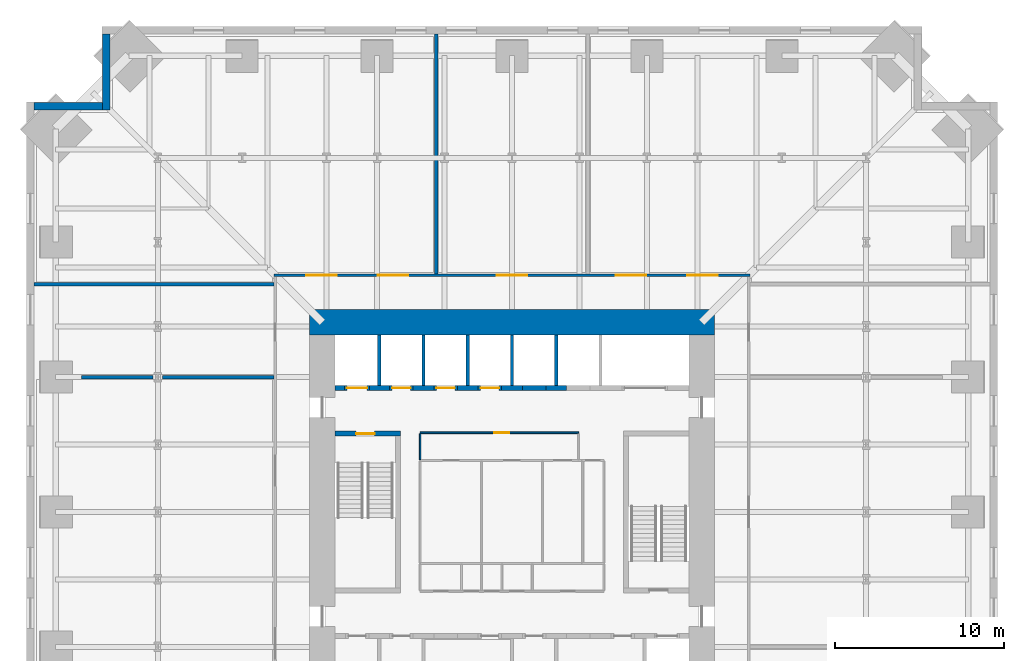
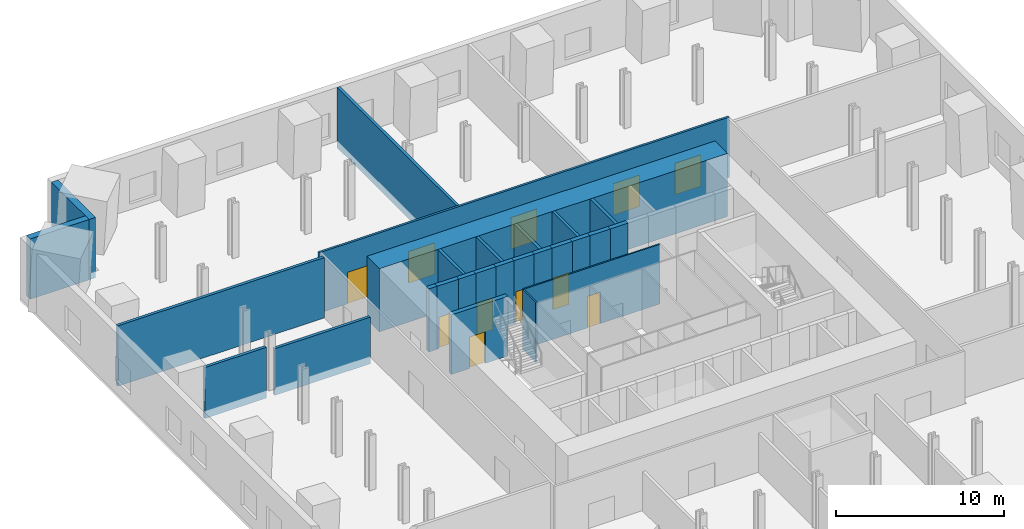
# One storey, part 6 of 8: 27 walls, 11 doors, 11 openings.
"""IFC4 building model written with IfcOpenShell, lengths in metres."""

from ifc_helpers import new_model, si_unit, direction, frame, frame_2d, origin, place, context, subcontext, project, spatial, rectangle, extrude, material, layer, layer_set, type_object, element, fill, save


model = new_model("IFC4")

# Units and contexts
model_context = context("Model", 3, precision=1e-05, world=origin(), true_north=direction((0.0, 1.0)))
body_context = subcontext(model_context, "Body", "Model", "MODEL_VIEW")
ifc_project = project(units=[si_unit("LENGTHUNIT", "METRE"), si_unit("AREAUNIT", "SQUARE_METRE"), si_unit("VOLUMEUNIT", "CUBIC_METRE"), si_unit("PLANEANGLEUNIT", "RADIAN"), si_unit("MASSUNIT", "GRAM", prefix="KILO")], contexts=[model_context])

# Site, building, storey
site_placement = place(None, origin())
site = spatial("IfcSite", under=ifc_project, at=site_placement, CompositionType="ELEMENT")
building_placement = place(site_placement, origin())
building = spatial("IfcBuilding", under=site, at=building_placement, Name="Peilmerk Tower", CompositionType="ELEMENT")
storey_placement = place(building_placement, frame((0.0, 0.0, 95.199951171875)))
storey = spatial("IfcBuildingStorey", under=building, at=storey_placement, Name="L18", CompositionType="ELEMENT", Elevation=95.199951171875)

# Walls
ifc_material_1 = material(Name="Precast concrete C45/55, board-marked finish", Category="concrete")
ifc_layer_1 = layer(ifc_material_1, 0.449951171875)
ifc_layer_set_1 = layer_set([ifc_layer_1], Name="Precast concrete C45/55, board-marked finish")
wall_type_1 = type_object("IfcWallType", Name="EW1 450 precast concrete facade wall, board-marked", PredefinedType="SOLIDWALL", material=ifc_layer_set_1)
wall_1_placement = place(storey_placement, frame((-24.074951171875, 23.85009765625, 0.0), z_axis=(0.0, 0.0, 1.0), x_axis=(0.0, 1.0, 0.0)))
element("IfcWall", 1, at=wall_1_placement, inside=storey, type_object=wall_type_1, Name="Facade wall NWA L18", PredefinedType="SOLIDWALL", context=body_context, shape_type="SweptSolid", body=[
    extrude(rectangle(XDim=4.5, YDim=0.449951171875, at=frame_2d((2.25, 0.0))), origin(), (0.0, 0.0, 1.0), 4.400146484375),
])
wall_2_placement = place(storey_placement, frame((-24.300048828125, 24.074951171875, 0.0), z_axis=(0.0, 0.0, 1.0), x_axis=(-1.0, 0.0, 0.0)))
element("IfcWall", 2, at=wall_2_placement, inside=storey, type_object=wall_type_1, Name="Facade wall NWB L18", PredefinedType="SOLIDWALL", context=body_context, shape_type="SweptSolid", body=[
    extrude(rectangle(XDim=4.050048828125, YDim=0.449951171875, at=frame_2d((2.02490234375, 0.0))), origin(), (0.0, 0.0, 1.0), 4.400146484375),
])

# Wall, openings, doors
ifc_material_2 = material(Name="Calcium silicate block", Category="masonry")
ifc_layer_2 = layer(ifc_material_2, 0.14990234375)
ifc_layer_set_2 = layer_set([ifc_layer_2], Name="Calcium silicate block")
wall_type_2 = type_object("IfcWallType", Name="IW1 150 corridor partition, EI 60", PredefinedType="PARTITIONING", material=ifc_layer_set_2)
wall_3_placement = place(storey_placement, frame((-14.125, 14.050048828125, 0.0), z_axis=(0.0, 0.0, 1.0), x_axis=(1.0, 0.0, 0.0)))
wall_3 = element("IfcWall", 3, at=wall_3_placement, inside=storey, type_object=wall_type_2, Name="Corridor wall N L18", PredefinedType="PARTITIONING", context=body_context, shape_type="SweptSolid", body=[
    extrude(rectangle(XDim=28.25, YDim=0.14990234375, at=frame_2d((14.125, 0.0))), origin(), (0.0, 0.0, 1.0), 4.400146484375),
])
opening_1_placement = place(wall_3_placement, frame((1.925048828125, 0.0, 0.0)))
opening_1 = element("IfcOpeningElement", 4, at=opening_1_placement, cuts=wall_3, Name="Opening D2", PredefinedType="OPENING", context=body_context, shape_type="SweptSolid", body=[
    extrude(rectangle(XDim=1.800048828125, YDim=2.300048828125, at=frame_2d((0.89990234375, 1.14990234375))), frame((0.0, 0.0849609375, 0.0), z_axis=(0.0, -1.0, 0.0), x_axis=(1.0, 0.0, 0.0)), (0.0, 0.0, 1.0), 0.169921875),
])
opening_2_placement = place(wall_3_placement, frame((6.175048828125, 0.0, 0.0)))
opening_2 = element("IfcOpeningElement", 5, at=opening_2_placement, cuts=wall_3, Name="Opening D2", PredefinedType="OPENING", context=body_context, shape_type="SweptSolid", body=[
    extrude(rectangle(XDim=1.800048828125, YDim=2.300048828125, at=frame_2d((0.89990234375, 1.14990234375))), frame((0.0, 0.0849609375, 0.0), z_axis=(0.0, -1.0, 0.0), x_axis=(1.0, 0.0, 0.0)), (0.0, 0.0, 1.0), 0.169921875),
])
opening_3_placement = place(wall_3_placement, frame((13.22509765625, 0.0, 0.0)))
opening_3 = element("IfcOpeningElement", 6, at=opening_3_placement, cuts=wall_3, Name="Opening D2", PredefinedType="OPENING", context=body_context, shape_type="SweptSolid", body=[
    extrude(rectangle(XDim=1.800048828125, YDim=2.300048828125, at=frame_2d((0.89990234375, 1.14990234375))), frame((0.0, 0.0849609375, 0.0), z_axis=(0.0, -1.0, 0.0), x_axis=(1.0, 0.0, 0.0)), (0.0, 0.0, 1.0), 0.169921875),
])
opening_4_placement = place(wall_3_placement, frame((20.27490234375, 0.0, 0.0)))
opening_4 = element("IfcOpeningElement", 7, at=opening_4_placement, cuts=wall_3, Name="Opening D2", PredefinedType="OPENING", context=body_context, shape_type="SweptSolid", body=[
    extrude(rectangle(XDim=1.800048828125, YDim=2.300048828125, at=frame_2d((0.89990234375, 1.14990234375))), frame((0.0, 0.0849609375, 0.0), z_axis=(0.0, -1.0, 0.0), x_axis=(1.0, 0.0, 0.0)), (0.0, 0.0, 1.0), 0.169921875),
])
opening_5_placement = place(wall_3_placement, frame((24.52490234375, 0.0, 0.0)))
opening_5 = element("IfcOpeningElement", 8, at=opening_5_placement, cuts=wall_3, Name="Opening D2", PredefinedType="OPENING", context=body_context, shape_type="SweptSolid", body=[
    extrude(rectangle(XDim=1.800048828125, YDim=2.300048828125, at=frame_2d((0.89990234375, 1.14990234375))), frame((0.0, 0.0849609375, 0.0), z_axis=(0.0, -1.0, 0.0), x_axis=(1.0, 0.0, 0.0)), (0.0, 0.0, 1.0), 0.169921875),
])
ifc_material_3 = material(Name="Steel door in steel frame", Category="steel")
door_type_1 = type_object("IfcDoorType", Name="D2 1800x2300 double door, EI2 60", OperationType="DOUBLE_DOOR_DOUBLE_SWING", PredefinedType="DOOR", material=ifc_material_3)
door_1_placement = place(opening_1_placement, origin())
door_1 = element("IfcDoor", 9, at=door_1_placement, inside=storey, type_object=door_type_1, Name="Door Telecom equipment room A L18", OperationType="DOUBLE_DOOR_DOUBLE_SWING", OverallHeight=2.300048828125, OverallWidth=1.800048828125, PredefinedType="DOOR", context=body_context, shape_type="SweptSolid", body=[
    extrude(rectangle(XDim=1.800048828125, YDim=2.300048828125, at=frame_2d((0.89990234375, 1.14990234375))), frame((0.0, 0.02490234375, 0.0), z_axis=(0.0, -1.0, 0.0), x_axis=(1.0, 0.0, 0.0)), (0.0, 0.0, 1.0), 0.050048828125),
])
fill(opening_1, door_1)
door_2_placement = place(opening_2_placement, origin())
door_2 = element("IfcDoor", 10, at=door_2_placement, inside=storey, type_object=door_type_1, Name="Door Telecom equipment room A L18", OperationType="DOUBLE_DOOR_DOUBLE_SWING", OverallHeight=2.300048828125, OverallWidth=1.800048828125, PredefinedType="DOOR", context=body_context, shape_type="SweptSolid", body=[
    extrude(rectangle(XDim=1.800048828125, YDim=2.300048828125, at=frame_2d((0.89990234375, 1.14990234375))), frame((0.0, 0.02490234375, 0.0), z_axis=(0.0, -1.0, 0.0), x_axis=(1.0, 0.0, 0.0)), (0.0, 0.0, 1.0), 0.050048828125),
])
fill(opening_2, door_2)
door_3_placement = place(opening_3_placement, origin())
door_3 = element("IfcDoor", 11, at=door_3_placement, inside=storey, type_object=door_type_1, Name="Door Telecom equipment room B L18", OperationType="DOUBLE_DOOR_DOUBLE_SWING", OverallHeight=2.300048828125, OverallWidth=1.800048828125, PredefinedType="DOOR", context=body_context, shape_type="SweptSolid", body=[
    extrude(rectangle(XDim=1.800048828125, YDim=2.300048828125, at=frame_2d((0.89990234375, 1.14990234375))), frame((0.0, 0.02490234375, 0.0), z_axis=(0.0, -1.0, 0.0), x_axis=(1.0, 0.0, 0.0)), (0.0, 0.0, 1.0), 0.050048828125),
])
fill(opening_3, door_3)
door_4_placement = place(opening_4_placement, origin())
door_4 = element("IfcDoor", 12, at=door_4_placement, inside=storey, type_object=door_type_1, Name="Door Telecom equipment room C L18", OperationType="DOUBLE_DOOR_DOUBLE_SWING", OverallHeight=2.300048828125, OverallWidth=1.800048828125, PredefinedType="DOOR", context=body_context, shape_type="SweptSolid", body=[
    extrude(rectangle(XDim=1.800048828125, YDim=2.300048828125, at=frame_2d((0.89990234375, 1.14990234375))), frame((0.0, 0.02490234375, 0.0), z_axis=(0.0, -1.0, 0.0), x_axis=(1.0, 0.0, 0.0)), (0.0, 0.0, 1.0), 0.050048828125),
])
fill(opening_4, door_4)
door_5_placement = place(opening_5_placement, origin())
door_5 = element("IfcDoor", 13, at=door_5_placement, inside=storey, type_object=door_type_1, Name="Door Telecom equipment room C L18", OperationType="DOUBLE_DOOR_DOUBLE_SWING", OverallHeight=2.300048828125, OverallWidth=1.800048828125, PredefinedType="DOOR", context=body_context, shape_type="SweptSolid", body=[
    extrude(rectangle(XDim=1.800048828125, YDim=2.300048828125, at=frame_2d((0.89990234375, 1.14990234375))), frame((0.0, 0.02490234375, 0.0), z_axis=(0.0, -1.0, 0.0), x_axis=(1.0, 0.0, 0.0)), (0.0, 0.0, 1.0), 0.050048828125),
])
fill(opening_5, door_5)

# Walls
ifc_layer_3 = layer(ifc_material_2, 0.199951171875)
ifc_layer_set_3 = layer_set([ifc_layer_3], Name="Calcium silicate block")
wall_type_3 = type_object("IfcWallType", Name="IW2 200 room separating wall, EI 120", PredefinedType="PARTITIONING", material=ifc_layer_set_3)
for number, where, z_axis, x_axis, name in (
    (14, (-28.35009765625, 13.5, 0.0), (0.0, 0.0, 1.0), (1.0, 0.0, 0.0), "Room separating wall NW L18"),
    (15, (-4.5, 14.125, 0.0), (0.0, 0.0, 1.0), (0.0, 1.0, 0.0), "Room separating wall N1 L18"),
):
    element("IfcWall", number, at=place(storey_placement, frame(where, z_axis=z_axis, x_axis=x_axis)), inside=storey, type_object=wall_type_3, Name=name, PredefinedType="PARTITIONING", context=body_context, shape_type="SweptSolid", body=[
        extrude(rectangle(XDim=14.22509765625, YDim=0.199951171875, at=frame_2d((7.112548828125, 0.0))), origin(), (0.0, 0.0, 1.0), 4.400146484375),
    ])
wall_4_placement = place(storey_placement, frame((-14.125, 8.0, 0.0), z_axis=(0.0, 0.0, 1.0), x_axis=(-1.0, 0.0, 0.0)))
element("IfcWall", 16, at=wall_4_placement, inside=storey, type_object=wall_type_3, Name="Room separating wall W1 L18", PredefinedType="PARTITIONING", context=body_context, shape_type="SweptSolid", body=[
    extrude(rectangle(XDim=6.590576171875, YDim=0.199951171875, at=frame_2d((3.29541015625, 0.0))), origin(), (0.0, 0.0, 1.0), 3.39208984375),
])
wall_5_placement = place(storey_placement, frame((-21.284423828125, 8.0, 0.0), z_axis=(0.0, 0.0, 1.0), x_axis=(-1.0, 0.0, 0.0)))
element("IfcWall", 17, at=wall_5_placement, inside=storey, type_object=wall_type_3, Name="Room separating wall W1b L18", PredefinedType="PARTITIONING", context=body_context, shape_type="SweptSolid", body=[
    extrude(rectangle(XDim=4.24462890625, YDim=0.199951171875, at=frame_2d((2.122314453125, 0.0))), origin(), (0.0, 0.0, 1.0), 3.7099609375),
])

# Wall, opening, door
ifc_material_4 = material(Name="Concrete C35/45", Category="concrete")
ifc_layer_4 = layer(ifc_material_4, 0.300048828125)
ifc_layer_set_4 = layer_set([ifc_layer_4], Name="Concrete C35/45")
wall_type_4 = type_object("IfcWallType", Name="IW3 300 concrete stair enclosure wall, EI 120", PredefinedType="SOLIDWALL", material=ifc_layer_set_4)
wall_6_placement = place(storey_placement, frame((-10.5, 4.64990234375, 0.0), z_axis=(0.0, 0.0, 1.0), x_axis=(1.0, 0.0, 0.0)))
wall_6 = element("IfcWall", 18, at=wall_6_placement, inside=storey, type_object=wall_type_4, Name="Stair 1 enclosure L18", PredefinedType="SOLIDWALL", context=body_context, shape_type="SweptSolid", body=[
    extrude(rectangle(XDim=3.89990234375, YDim=0.300048828125, at=frame_2d((1.949951171875, 0.0))), origin(), (0.0, 0.0, 1.0), 4.35009765625),
])
opening_6_placement = place(wall_6_placement, frame((1.25, 0.0, 0.0)))
opening_6 = element("IfcOpeningElement", 19, at=opening_6_placement, cuts=wall_6, Name="Opening D4", PredefinedType="OPENING", context=body_context, shape_type="SweptSolid", body=[
    extrude(rectangle(XDim=1.10009765625, YDim=2.300048828125, at=frame_2d((0.550048828125, 1.14990234375))), frame((0.0, 0.159912109375, 0.0), z_axis=(0.0, -1.0, 0.0), x_axis=(1.0, 0.0, 0.0)), (0.0, 0.0, 1.0), 0.320068359375),
])
door_type_2 = type_object("IfcDoorType", Name="D4 1100x2300 stair door, EI2 60", OperationType="SINGLE_SWING_RIGHT", PredefinedType="DOOR", material=ifc_material_3)
door_6_placement = place(opening_6_placement, frame((1.10009765625, 0.0, 0.0), z_axis=(0.0, 0.0, 1.0), x_axis=(-1.0, 0.0, 0.0)))
door_6 = element("IfcDoor", 20, at=door_6_placement, inside=storey, type_object=door_type_2, Name="Stair 1 door L18", OperationType="SINGLE_SWING_RIGHT", OverallHeight=2.300048828125, OverallWidth=1.10009765625, PredefinedType="DOOR", context=body_context, shape_type="SweptSolid", body=[
    extrude(rectangle(XDim=1.10009765625, YDim=2.300048828125, at=frame_2d((0.550048828125, 1.14990234375))), frame((0.0, 0.02490234375, 0.0), z_axis=(0.0, -1.0, 0.0), x_axis=(1.0, 0.0, 0.0)), (0.0, 0.0, 1.0), 0.050048828125),
])
fill(opening_6, door_6)

ifc_material_5 = material(Name="Fire-resisting plasterboard on steel studs", Category="steel")
ifc_layer_5 = layer(ifc_material_5, 0.10009765625)
ifc_layer_set_5 = layer_set([ifc_layer_5], Name="Fire-resisting plasterboard on steel studs")
wall_type_5 = type_object("IfcWallType", Name="IW9 100 WC lobby wall, EI 30", PredefinedType="PARTITIONING", material=ifc_layer_set_5)
wall_7_placement = place(storey_placement, frame((-5.449951171875, 4.699951171875, 0.0), z_axis=(0.0, 0.0, 1.0), x_axis=(1.0, 0.0, 0.0)))
wall_7 = element("IfcWall", 21, at=wall_7_placement, inside=storey, type_object=wall_type_5, Name="WC lobby wall L18", PredefinedType="PARTITIONING", context=body_context, shape_type="SweptSolid", body=[
    extrude(rectangle(XDim=9.39990234375, YDim=0.10009765625, at=frame_2d((4.699951171875, 0.0))), origin(), (0.0, 0.0, 1.0), 4.35009765625),
])
opening_7_placement = place(wall_7_placement, frame((4.39990234375, 0.0, 0.0)))
opening_7 = element("IfcOpeningElement", 22, at=opening_7_placement, cuts=wall_7, Name="Opening D11", PredefinedType="OPENING", context=body_context, shape_type="SweptSolid", body=[
    extrude(rectangle(XDim=0.89990234375, YDim=2.300048828125, at=frame_2d((0.449951171875, 1.14990234375))), frame((0.0, 0.06005859375, 0.0), z_axis=(0.0, -1.0, 0.0), x_axis=(1.0, 0.0, 0.0)), (0.0, 0.0, 1.0), 0.1201171875),
])
ifc_material_6 = material(Name="Timber door in steel frame", Category="steel")
door_type_3 = type_object("IfcDoorType", Name="D11 900x2300 WC lobby door, EI2 30", OperationType="SINGLE_SWING_LEFT", PredefinedType="DOOR", material=ifc_material_6)
door_7_placement = place(opening_7_placement, frame((0.89990234375, 0.0, 0.0), z_axis=(0.0, 0.0, 1.0), x_axis=(-1.0, 0.0, 0.0)))
door_7 = element("IfcDoor", 23, at=door_7_placement, inside=storey, type_object=door_type_3, Name="WC lobby door L18", OperationType="SINGLE_SWING_LEFT", OverallHeight=2.300048828125, OverallWidth=0.89990234375, PredefinedType="DOOR", context=body_context, shape_type="SweptSolid", body=[
    extrude(rectangle(XDim=0.89990234375, YDim=2.300048828125, at=frame_2d((0.449951171875, 1.14990234375))), frame((0.0, 0.02490234375, 0.0), z_axis=(0.0, -1.0, 0.0), x_axis=(1.0, 0.0, 0.0)), (0.0, 0.0, 1.0), 0.050048828125),
])
fill(opening_7, door_7)

# Walls
wall_8_placement = place(storey_placement, frame((-5.449951171875, 3.10009765625, 0.0), z_axis=(0.0, 0.0, 1.0), x_axis=(0.0, 1.0, 0.0)))
element("IfcWall", 24, at=wall_8_placement, inside=storey, type_object=wall_type_5, Name="WC lobby wall L18", PredefinedType="PARTITIONING", context=body_context, shape_type="SweptSolid", body=[
    extrude(rectangle(XDim=1.5498046875, YDim=0.10009765625, at=frame_2d((0.77490234375, 0.0))), origin(), (0.0, 0.0, 1.0), 4.35009765625),
])
ifc_layer_6 = layer(ifc_material_2, 0.199951171875)
ifc_layer_set_6 = layer_set([ifc_layer_6], Name="Calcium silicate block")
wall_type_6 = type_object("IfcWallType", Name="SH1 200 shaft dividing wall, EI 120", PredefinedType="PARTITIONING", material=ifc_layer_set_6)
for number, where, z_axis, x_axis, name in (
    (25, (-7.875, 7.5, 0.0), (0.0, 0.0, 1.0), (0.0, 1.0, 0.0), "Shaft wall N FL1 L18"),
    (26, (-5.25, 7.5, 0.0), (0.0, 0.0, 1.0), (0.0, 1.0, 0.0), "Shaft wall N A1 L18"),
    (27, (-2.625, 7.5, 0.0), (0.0, 0.0, 1.0), (0.0, 1.0, 0.0), "Shaft wall N A2 L18"),
    (28, (0.0, 7.5, 0.0), (0.0, 0.0, 1.0), (0.0, 1.0, 0.0), "Shaft wall N A3 L18"),
    (29, (2.625, 7.5, 0.0), (0.0, 0.0, 1.0), (0.0, 1.0, 0.0), "Shaft wall N S1 L18"),
):
    element("IfcWall", number, at=place(storey_placement, frame(where, z_axis=z_axis, x_axis=x_axis)), inside=storey, type_object=wall_type_6, Name=name, PredefinedType="PARTITIONING", context=body_context, shape_type="SweptSolid", body=[
        extrude(rectangle(XDim=3.0, YDim=0.199951171875, at=frame_2d((1.5, 0.0))), origin(), (0.0, 0.0, 1.0), 4.60009765625),
    ])

# Wall, opening, door
ifc_layer_7 = layer(ifc_material_2, 0.300048828125)
ifc_layer_set_7 = layer_set([ifc_layer_7], Name="Calcium silicate block")
wall_type_7 = type_object("IfcWallType", Name="SH2 300 lift landing door panel, EI 120", PredefinedType="PARTITIONING", material=ifc_layer_set_7)
wall_9_placement = place(storey_placement, frame((-9.9375, 7.35009765625, 0.0), z_axis=(0.0, 0.0, 1.0), x_axis=(1.0, 0.0, 0.0)))
wall_9 = element("IfcWall", 30, at=wall_9_placement, inside=storey, type_object=wall_type_7, Name="Lift door panel N FL1 L18", PredefinedType="PARTITIONING", context=body_context, shape_type="SweptSolid", body=[
    extrude(rectangle(XDim=1.5, YDim=0.300048828125, at=frame_2d((0.75, 0.0))), origin(), (0.0, 0.0, 1.0), 4.60009765625),
])
opening_8_placement = place(wall_9_placement, frame((0.14990234375, 0.0, 0.0)))
opening_8 = element("IfcOpeningElement", 31, at=opening_8_placement, cuts=wall_9, Name="Opening LD2", PredefinedType="OPENING", context=body_context, shape_type="SweptSolid", body=[
    extrude(rectangle(XDim=1.199951171875, YDim=2.300048828125, at=frame_2d((0.60009765625, 1.14990234375))), frame((0.0, 0.159912109375, 0.0), z_axis=(0.0, -1.0, 0.0), x_axis=(1.0, 0.0, 0.0)), (0.0, 0.0, 1.0), 0.320068359375),
])
ifc_material_7 = material(Name="Stainless steel landing door", Category="steel")
door_type_4 = type_object("IfcDoorType", Name="LD2 1200x2300 lift landing door, sliding, EI2 60", OperationType="SLIDING_TO_LEFT", PredefinedType="DOOR", material=ifc_material_7)
door_8_placement = place(opening_8_placement, frame((1.199951171875, 0.0, 0.0), z_axis=(0.0, 0.0, 1.0), x_axis=(-1.0, 0.0, 0.0)))
door_8 = element("IfcDoor", 32, at=door_8_placement, inside=storey, type_object=door_type_4, Name="Lift landing door FL1 L18", OperationType="SLIDING_TO_LEFT", OverallHeight=2.300048828125, OverallWidth=1.199951171875, PredefinedType="DOOR", context=body_context, shape_type="SweptSolid", body=[
    extrude(rectangle(XDim=1.199951171875, YDim=2.300048828125, at=frame_2d((0.60009765625, 1.14990234375))), frame((0.0, 0.02490234375, 0.0), z_axis=(0.0, -1.0, 0.0), x_axis=(1.0, 0.0, 0.0)), (0.0, 0.0, 1.0), 0.050048828125),
])
fill(opening_8, door_8)

wall_10_placement = place(storey_placement, frame((-7.262451171875, 7.35009765625, 0.0), z_axis=(0.0, 0.0, 1.0), x_axis=(1.0, 0.0, 0.0)))
wall_10 = element("IfcWall", 33, at=wall_10_placement, inside=storey, type_object=wall_type_7, Name="Lift door panel N A1 L18", PredefinedType="PARTITIONING", context=body_context, shape_type="SweptSolid", body=[
    extrude(rectangle(XDim=1.39990234375, YDim=0.300048828125, at=frame_2d((0.699951171875, 0.0))), origin(), (0.0, 0.0, 1.0), 4.60009765625),
])
opening_9_placement = place(wall_10_placement, frame((0.14990234375, 0.0, 0.0)))
opening_9 = element("IfcOpeningElement", 34, at=opening_9_placement, cuts=wall_10, Name="Opening LD1", PredefinedType="OPENING", context=body_context, shape_type="SweptSolid", body=[
    extrude(rectangle(XDim=1.10009765625, YDim=2.300048828125, at=frame_2d((0.550048828125, 1.14990234375))), frame((0.0, 0.159912109375, 0.0), z_axis=(0.0, -1.0, 0.0), x_axis=(1.0, 0.0, 0.0)), (0.0, 0.0, 1.0), 0.320068359375),
])
door_type_5 = type_object("IfcDoorType", Name="LD1 1100x2300 lift landing door, sliding, EI2 60", OperationType="SLIDING_TO_LEFT", PredefinedType="DOOR", material=ifc_material_7)
door_9_placement = place(opening_9_placement, frame((1.10009765625, 0.0, 0.0), z_axis=(0.0, 0.0, 1.0), x_axis=(-1.0, 0.0, 0.0)))
door_9 = element("IfcDoor", 35, at=door_9_placement, inside=storey, type_object=door_type_5, Name="Lift landing door A1 L18", OperationType="SLIDING_TO_LEFT", OverallHeight=2.300048828125, OverallWidth=1.10009765625, PredefinedType="DOOR", context=body_context, shape_type="SweptSolid", body=[
    extrude(rectangle(XDim=1.10009765625, YDim=2.300048828125, at=frame_2d((0.550048828125, 1.14990234375))), frame((0.0, 0.02490234375, 0.0), z_axis=(0.0, -1.0, 0.0), x_axis=(1.0, 0.0, 0.0)), (0.0, 0.0, 1.0), 0.050048828125),
])
fill(opening_9, door_9)

wall_11_placement = place(storey_placement, frame((-4.637451171875, 7.35009765625, 0.0), z_axis=(0.0, 0.0, 1.0), x_axis=(1.0, 0.0, 0.0)))
wall_11 = element("IfcWall", 36, at=wall_11_placement, inside=storey, type_object=wall_type_7, Name="Lift door panel N A2 L18", PredefinedType="PARTITIONING", context=body_context, shape_type="SweptSolid", body=[
    extrude(rectangle(XDim=1.39990234375, YDim=0.300048828125, at=frame_2d((0.699951171875, 0.0))), origin(), (0.0, 0.0, 1.0), 4.60009765625),
])
opening_10_placement = place(wall_11_placement, frame((0.14990234375, 0.0, 0.0)))
opening_10 = element("IfcOpeningElement", 37, at=opening_10_placement, cuts=wall_11, Name="Opening LD1", PredefinedType="OPENING", context=body_context, shape_type="SweptSolid", body=[
    extrude(rectangle(XDim=1.10009765625, YDim=2.300048828125, at=frame_2d((0.550048828125, 1.14990234375))), frame((0.0, 0.159912109375, 0.0), z_axis=(0.0, -1.0, 0.0), x_axis=(1.0, 0.0, 0.0)), (0.0, 0.0, 1.0), 0.320068359375),
])
door_10_placement = place(opening_10_placement, frame((1.10009765625, 0.0, 0.0), z_axis=(0.0, 0.0, 1.0), x_axis=(-1.0, 0.0, 0.0)))
door_10 = element("IfcDoor", 38, at=door_10_placement, inside=storey, type_object=door_type_5, Name="Lift landing door A2 L18", OperationType="SLIDING_TO_LEFT", OverallHeight=2.300048828125, OverallWidth=1.10009765625, PredefinedType="DOOR", context=body_context, shape_type="SweptSolid", body=[
    extrude(rectangle(XDim=1.10009765625, YDim=2.300048828125, at=frame_2d((0.550048828125, 1.14990234375))), frame((0.0, 0.02490234375, 0.0), z_axis=(0.0, -1.0, 0.0), x_axis=(1.0, 0.0, 0.0)), (0.0, 0.0, 1.0), 0.050048828125),
])
fill(opening_10, door_10)

wall_12_placement = place(storey_placement, frame((-2.012451171875, 7.35009765625, 0.0), z_axis=(0.0, 0.0, 1.0), x_axis=(1.0, 0.0, 0.0)))
wall_12 = element("IfcWall", 39, at=wall_12_placement, inside=storey, type_object=wall_type_7, Name="Lift door panel N A3 L18", PredefinedType="PARTITIONING", context=body_context, shape_type="SweptSolid", body=[
    extrude(rectangle(XDim=1.39990234375, YDim=0.300048828125, at=frame_2d((0.699951171875, 0.0))), origin(), (0.0, 0.0, 1.0), 4.60009765625),
])
opening_11_placement = place(wall_12_placement, frame((0.14990234375, 0.0, 0.0)))
opening_11 = element("IfcOpeningElement", 40, at=opening_11_placement, cuts=wall_12, Name="Opening LD1", PredefinedType="OPENING", context=body_context, shape_type="SweptSolid", body=[
    extrude(rectangle(XDim=1.10009765625, YDim=2.300048828125, at=frame_2d((0.550048828125, 1.14990234375))), frame((0.0, 0.159912109375, 0.0), z_axis=(0.0, -1.0, 0.0), x_axis=(1.0, 0.0, 0.0)), (0.0, 0.0, 1.0), 0.320068359375),
])
door_11_placement = place(opening_11_placement, frame((1.10009765625, 0.0, 0.0), z_axis=(0.0, 0.0, 1.0), x_axis=(-1.0, 0.0, 0.0)))
door_11 = element("IfcDoor", 41, at=door_11_placement, inside=storey, type_object=door_type_5, Name="Lift landing door A3 L18", OperationType="SLIDING_TO_LEFT", OverallHeight=2.300048828125, OverallWidth=1.10009765625, PredefinedType="DOOR", context=body_context, shape_type="SweptSolid", body=[
    extrude(rectangle(XDim=1.10009765625, YDim=2.300048828125, at=frame_2d((0.550048828125, 1.14990234375))), frame((0.0, 0.02490234375, 0.0), z_axis=(0.0, -1.0, 0.0), x_axis=(1.0, 0.0, 0.0)), (0.0, 0.0, 1.0), 0.050048828125),
])
fill(opening_11, door_11)

# Walls
wall_13_placement = place(storey_placement, frame((0.612548828125, 7.35009765625, 0.0), z_axis=(0.0, 0.0, 1.0), x_axis=(1.0, 0.0, 0.0)))
element("IfcWall", 42, at=wall_13_placement, inside=storey, type_object=wall_type_7, Name="Lift door panel N S1 L18", PredefinedType="PARTITIONING", context=body_context, shape_type="SweptSolid", body=[
    extrude(rectangle(XDim=1.39990234375, YDim=0.300048828125, at=frame_2d((0.699951171875, 0.0))), origin(), (0.0, 0.0, 1.0), 4.60009765625),
])
ifc_material_8 = material(Name="Concrete C55/67", Category="concrete")
ifc_layer_8 = layer(ifc_material_8, 1.5)
ifc_layer_set_8 = layer_set([ifc_layer_8], Name="Concrete C55/67")
wall_type_8 = type_object("IfcWallType", Name="SW1 1500 core wall", PredefinedType="SHEAR", material=ifc_layer_set_8)
wall_14_placement = place(storey_placement, frame((-12.0, 11.25, 0.0), z_axis=(0.0, 0.0, 1.0), x_axis=(1.0, 0.0, 0.0)))
element("IfcWall", 43, at=wall_14_placement, inside=storey, type_object=wall_type_8, Name="Core wall N L18", PredefinedType="SHEAR", context=body_context, shape_type="SweptSolid", body=[
    extrude(rectangle(XDim=24.0, YDim=1.5, at=frame_2d((12.0, 0.0))), origin(), (0.0, 0.0, 1.0), 4.60009765625),
])
ifc_layer_9 = layer(ifc_material_8, 0.300048828125)
ifc_layer_set_9 = layer_set([ifc_layer_9], Name="Concrete C55/67")
wall_type_9 = type_object("IfcWallType", Name="SW2 300 lift bank pier", PredefinedType="SHEAR", material=ifc_layer_set_9)
wall_15_placement = place(storey_placement, frame((-10.5, 7.35009765625, 0.0), z_axis=(0.0, 0.0, 1.0), x_axis=(1.0, 0.0, 0.0)))
element("IfcWall", 44, at=wall_15_placement, inside=storey, type_object=wall_type_9, Name="Lift bank pier N L18", PredefinedType="SHEAR", context=body_context, shape_type="SweptSolid", body=[
    extrude(rectangle(XDim=0.5625, YDim=0.300048828125, at=frame_2d((0.28125, 0.0))), origin(), (0.0, 0.0, 1.0), 4.60009765625),
])
wall_16_placement = place(storey_placement, frame((-8.4375, 7.35009765625, 0.0), z_axis=(0.0, 0.0, 1.0), x_axis=(1.0, 0.0, 0.0)))
element("IfcWall", 45, at=wall_16_placement, inside=storey, type_object=wall_type_9, Name="Lift bank pier N L18", PredefinedType="SHEAR", context=body_context, shape_type="SweptSolid", body=[
    extrude(rectangle(XDim=1.175048828125, YDim=0.300048828125, at=frame_2d((0.58740234375, 0.0))), origin(), (0.0, 0.0, 1.0), 4.60009765625),
])
for number, where, z_axis, x_axis, name in (
    (46, (-5.862548828125, 7.35009765625, 0.0), (0.0, 0.0, 1.0), (1.0, 0.0, 0.0), "Lift bank pier N L18"),
    (47, (-3.237548828125, 7.35009765625, 0.0), (0.0, 0.0, 1.0), (1.0, 0.0, 0.0), "Lift bank pier N L18"),
    (48, (-0.612548828125, 7.35009765625, 0.0), (0.0, 0.0, 1.0), (1.0, 0.0, 0.0), "Lift bank pier N L18"),
    (49, (2.012451171875, 7.35009765625, 0.0), (0.0, 0.0, 1.0), (1.0, 0.0, 0.0), "Lift bank pier N L18"),
):
    element("IfcWall", number, at=place(storey_placement, frame(where, z_axis=z_axis, x_axis=x_axis)), inside=storey, type_object=wall_type_9, Name=name, PredefinedType="SHEAR", context=body_context, shape_type="SweptSolid", body=[
        extrude(rectangle(XDim=1.22509765625, YDim=0.300048828125, at=frame_2d((0.612548828125, 0.0))), origin(), (0.0, 0.0, 1.0), 4.60009765625),
    ])

save(model, "model.ifc")
